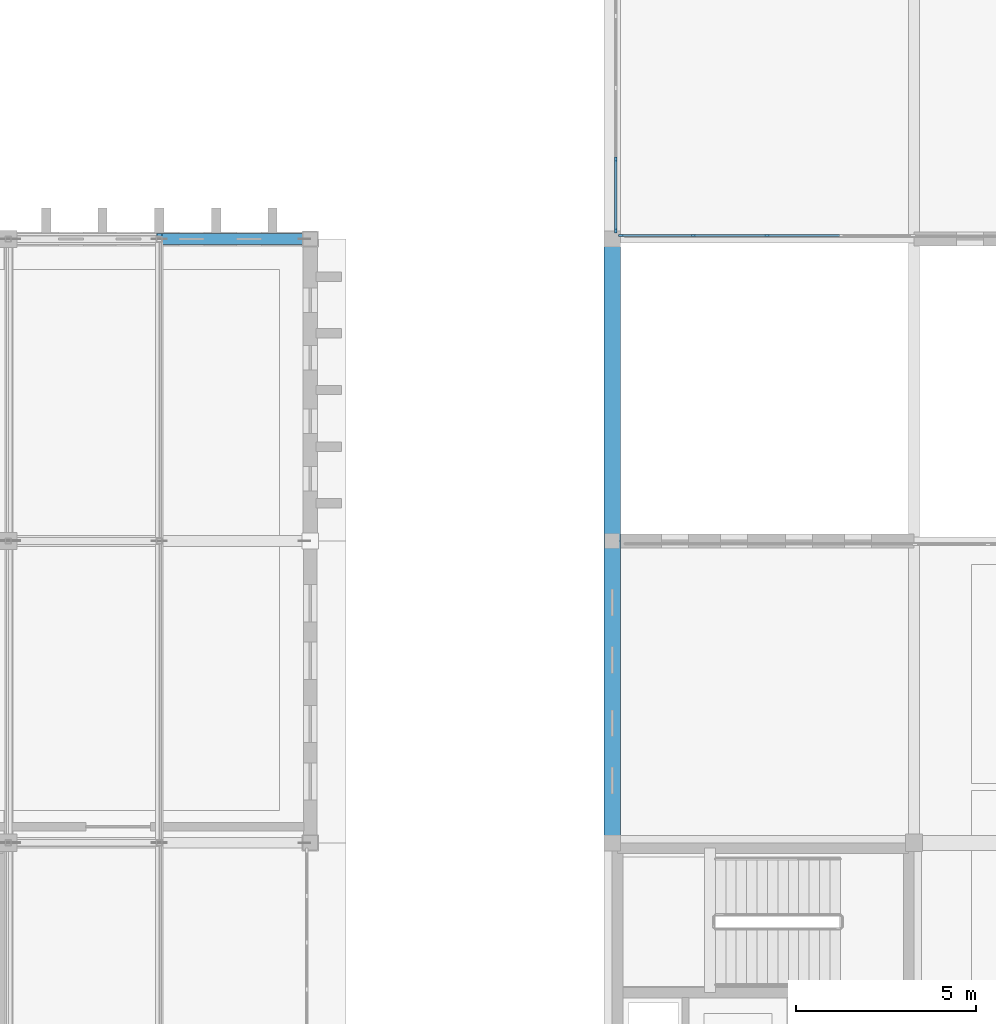
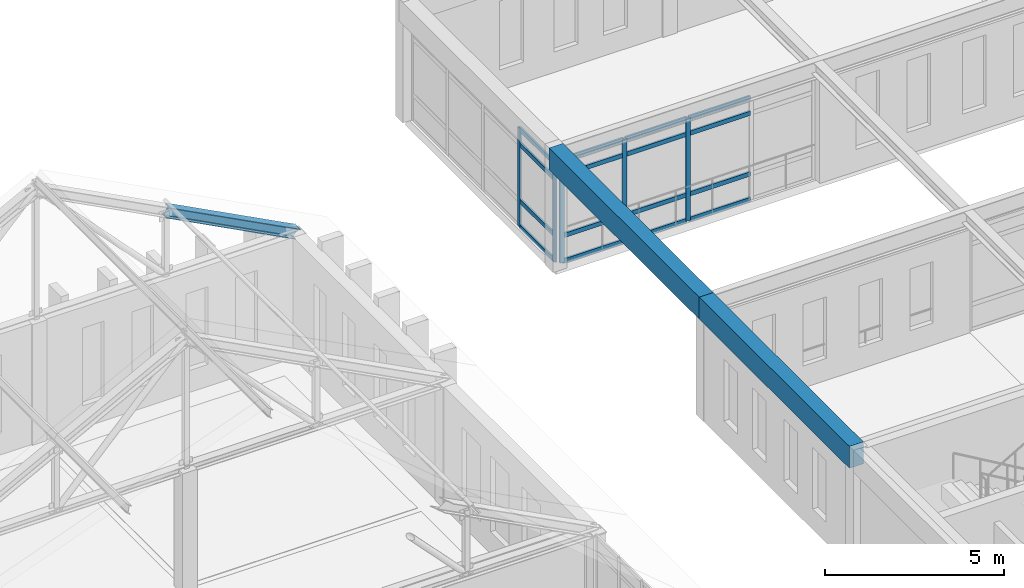
# One storey, part 85 of 192: 22 members, 2 beams, 2 elements without a shape of their own.
"""IFC4 building model written with IfcOpenShell, lengths in metres."""

from ifc_helpers import new_model, si_unit, direction, frame, origin, origin_2d, place, context, subcontext, project, spatial, rectangle, i_section, extrude, material, layer, layer_set, material_profile, profile_set, type_object, element, aggregate, save


model = new_model("IFC4")

# Units and contexts
model_context = context("Model", 3, precision=1e-05, world=origin(), true_north=direction((0.0, 1.0)))
body_context = subcontext(model_context, "Body", "Model", "MODEL_VIEW")
ifc_project = project(units=[si_unit("LENGTHUNIT", "METRE"), si_unit("AREAUNIT", "SQUARE_METRE"), si_unit("VOLUMEUNIT", "CUBIC_METRE"), si_unit("PLANEANGLEUNIT", "RADIAN"), si_unit("MASSUNIT", "GRAM", prefix="KILO")], contexts=[model_context])

# Site, building, storey
site_placement = place(None, origin())
site = spatial("IfcSite", under=ifc_project, at=site_placement, CompositionType="ELEMENT")
building_placement = place(site_placement, origin())
building = spatial("IfcBuilding", under=site, at=building_placement, Name="Kveldsbrygga Polytechnic", CompositionType="ELEMENT")
storey_placement = place(building_placement, frame((0.0, 0.0, 5.43994140625)))
storey = spatial("IfcBuildingStorey", under=building, at=storey_placement, Name="L01", CompositionType="ELEMENT", Elevation=5.43994140625)

# Beams
ifc_material_1 = material(Name="Concrete C35/45", Category="concrete")
ifc_material_profile_1 = material_profile(ifc_material_1, rectangle(XDim=0.449951171875, YDim=0.75, at=origin_2d()), Name="RC 450x750")
ifc_profile_set_1 = profile_set([ifc_material_profile_1], Name="Concrete C35/45")
beam_type = type_object("IfcBeamType", Name="BM-RC-450x750", PredefinedType="BEAM", material=ifc_profile_set_1)
beam_1_placement = place(storey_placement, frame((42.0, 92.39990234375, 3.7451171875), z_axis=(0.0, 1.0, 0.0), x_axis=(-1.0, 0.0, 0.0)))
element("IfcBeam", 1, at=beam_1_placement, inside=storey, type_object=beam_type, Name="Primary Beam BMY-L01-05-11to12", PredefinedType="BEAM", context=body_context, shape_type="SweptSolid", body=[
    extrude(rectangle(XDim=0.449951171875, YDim=0.75, at=origin_2d()), origin(), (0.0, 0.0, 1.0), 8.400146484375),
])
beam_2_placement = place(storey_placement, frame((42.0, 100.800048828125, 3.7451171875), z_axis=(0.0, 1.0, 0.0), x_axis=(-1.0, 0.0, 0.0)))
element("IfcBeam", 2, at=beam_2_placement, inside=storey, type_object=beam_type, Name="Primary Beam BMY-L01-05-12to13", PredefinedType="BEAM", context=body_context, shape_type="SweptSolid", body=[
    extrude(rectangle(XDim=0.449951171875, YDim=0.75, at=origin_2d()), origin(), (0.0, 0.0, 1.0), 8.39990234375),
])

# Curtain wall, members
ifc_material_2 = material(Name="Anodised aluminium AW-6060", Category="aluminium")
ifc_layer = layer(ifc_material_2, 0.199951171875)
ifc_layer_set = layer_set([ifc_layer], Name="Anodised aluminium AW-6060")
curtain_wall_type = type_object("IfcCurtainWallType", Name="CW-LANC-E", PredefinedType="USERDEFINED", material=ifc_layer_set)
curtain_wall_1_placement = place(storey_placement, origin())
curtain_wall_1 = element("IfcCurtainWall", 3, at=curtain_wall_1_placement, inside=storey, type_object=curtain_wall_type, Name="Curtain Wall CW-L01-X-05-13", ObjectType="UNITISED CURTAIN WALL", PredefinedType="USERDEFINED")
ifc_material_profile_2 = material_profile(ifc_material_2, rectangle(XDim=0.06005859375, YDim=0.139892578125, at=origin_2d()), Name="ALU 60x140")
ifc_profile_set_2 = profile_set([ifc_material_profile_2], Name="Anodised aluminium AW-6060")
member_type_1 = type_object("IfcMemberType", Name="CW-MUL-140", PredefinedType="MULLION", material=ifc_profile_set_2)
member_1_placement = place(storey_placement, frame((42.239990234375, 109.300048828125, 0.0), z_axis=(0.0, 0.0, 1.0), x_axis=(0.0, 1.0, 0.0)))
member_1 = element("IfcMember", 4, at=member_1_placement, type_object=member_type_1, Name="CW-05 mullion 1", PredefinedType="MULLION", context=body_context, shape_type="SweptSolid", body=[
    extrude(rectangle(XDim=0.06005859375, YDim=0.139892578125, at=origin_2d()), origin(), (0.0, 0.0, 1.0), 3.52001953125),
])
member_2_placement = place(storey_placement, frame((44.257568359375, 109.300048828125, 0.0), z_axis=(0.0, 0.0, 1.0), x_axis=(0.0, 1.0, 0.0)))
member_2 = element("IfcMember", 5, at=member_2_placement, type_object=member_type_1, Name="CW-05 mullion 2", PredefinedType="MULLION", context=body_context, shape_type="SweptSolid", body=[
    extrude(rectangle(XDim=0.06005859375, YDim=0.139892578125, at=origin_2d()), origin(), (0.0, 0.0, 1.0), 3.52001953125),
])
member_3_placement = place(storey_placement, frame((46.304931640625, 109.300048828125, 0.0), z_axis=(0.0, 0.0, 1.0), x_axis=(0.0, 1.0, 0.0)))
member_3 = element("IfcMember", 6, at=member_3_placement, type_object=member_type_1, Name="CW-05 mullion 3", PredefinedType="MULLION", context=body_context, shape_type="SweptSolid", body=[
    extrude(rectangle(XDim=0.06005859375, YDim=0.139892578125, at=origin_2d()), origin(), (0.0, 0.0, 1.0), 3.52001953125),
])

curtain_wall_2_placement = place(storey_placement, origin())
curtain_wall_2 = element("IfcCurtainWall", 7, at=curtain_wall_2_placement, inside=storey, type_object=curtain_wall_type, Name="Curtain Wall CW-L01-Y-05-13", ObjectType="UNITISED CURTAIN WALL", PredefinedType="USERDEFINED")
member_4_placement = place(storey_placement, frame((42.10009765625, 109.43994140625, 0.0), z_axis=(0.0, 0.0, 1.0), x_axis=(-1.0, 0.0, 0.0)))
member_4 = element("IfcMember", 8, at=member_4_placement, type_object=member_type_1, Name="CW-05 mullion 1", PredefinedType="MULLION", context=body_context, shape_type="SweptSolid", body=[
    extrude(rectangle(XDim=0.06005859375, YDim=0.139892578125, at=origin_2d()), origin(), (0.0, 0.0, 1.0), 3.3701171875),
])
member_5_placement = place(storey_placement, frame((42.10009765625, 111.40869140625, 0.0), z_axis=(0.0, 0.0, 1.0), x_axis=(-1.0, 0.0, 0.0)))
member_5 = element("IfcMember", 9, at=member_5_placement, type_object=member_type_1, Name="CW-05 mullion 2", PredefinedType="MULLION", context=body_context, shape_type="SweptSolid", body=[
    extrude(rectangle(XDim=0.06005859375, YDim=0.139892578125, at=origin_2d()), origin(), (0.0, 0.0, 1.0), 3.3701171875),
])

# Member
ifc_material_profile_3 = material_profile(ifc_material_2, rectangle(XDim=0.06005859375, YDim=0.14990234375, at=origin_2d()), Name="ALU 60x150")
ifc_profile_set_3 = profile_set([ifc_material_profile_3], Name="Anodised aluminium AW-6060")
member_type_2 = type_object("IfcMemberType", Name="CW-TRN-150", PredefinedType="USERDEFINED", material=ifc_profile_set_3)
member_6_placement = place(storey_placement, frame((42.27001953125, 109.300048828125, 0.030029296875), z_axis=(1.0, 0.0, 0.0), x_axis=(0.0, 1.0, 0.0)))
member_6 = element("IfcMember", 10, at=member_6_placement, type_object=member_type_2, Name="CW-05 transom 1.1", ObjectType="TRANSOM", PredefinedType="USERDEFINED", context=body_context, shape_type="SweptSolid", body=[
    extrude(rectangle(XDim=0.06005859375, YDim=0.14990234375, at=origin_2d()), origin(), (0.0, 0.0, 1.0), 1.95751953125),
])

member_7_placement = place(storey_placement, frame((42.27001953125, 109.300048828125, 0.900146484375), z_axis=(1.0, 0.0, 0.0), x_axis=(0.0, 1.0, 0.0)))
member_7 = element("IfcMember", 11, at=member_7_placement, type_object=member_type_2, Name="CW-05 transom 1.2", ObjectType="TRANSOM", PredefinedType="USERDEFINED", context=body_context, shape_type="SweptSolid", body=[
    extrude(rectangle(XDim=0.06005859375, YDim=0.14990234375, at=origin_2d()), origin(), (0.0, 0.0, 1.0), 1.95751953125),
])

member_8_placement = place(storey_placement, frame((42.27001953125, 109.300048828125, 2.969970703125), z_axis=(1.0, 0.0, 0.0), x_axis=(0.0, 1.0, 0.0)))
member_8 = element("IfcMember", 12, at=member_8_placement, type_object=member_type_2, Name="CW-05 transom 1.3", ObjectType="TRANSOM", PredefinedType="USERDEFINED", context=body_context, shape_type="SweptSolid", body=[
    extrude(rectangle(XDim=0.06005859375, YDim=0.14990234375, at=origin_2d()), origin(), (0.0, 0.0, 1.0), 1.95751953125),
])

member_9_placement = place(storey_placement, frame((42.27001953125, 109.300048828125, 3.489990234375), z_axis=(1.0, 0.0, 0.0), x_axis=(0.0, 1.0, 0.0)))
member_9 = element("IfcMember", 13, at=member_9_placement, type_object=member_type_2, Name="CW-05 transom 1.4", ObjectType="TRANSOM", PredefinedType="USERDEFINED", context=body_context, shape_type="SweptSolid", body=[
    extrude(rectangle(XDim=0.06005859375, YDim=0.14990234375, at=origin_2d()), origin(), (0.0, 0.0, 1.0), 1.95751953125),
])

member_10_placement = place(storey_placement, frame((44.28759765625, 109.300048828125, 0.030029296875), z_axis=(1.0, 0.0, 0.0), x_axis=(0.0, 1.0, 0.0)))
member_10 = element("IfcMember", 14, at=member_10_placement, type_object=member_type_2, Name="CW-05 transom 2.1", ObjectType="TRANSOM", PredefinedType="USERDEFINED", context=body_context, shape_type="SweptSolid", body=[
    extrude(rectangle(XDim=0.06005859375, YDim=0.14990234375, at=origin_2d()), origin(), (0.0, 0.0, 1.0), 1.9873046875),
])

member_11_placement = place(storey_placement, frame((44.28759765625, 109.300048828125, 0.900146484375), z_axis=(1.0, 0.0, 0.0), x_axis=(0.0, 1.0, 0.0)))
member_11 = element("IfcMember", 15, at=member_11_placement, type_object=member_type_2, Name="CW-05 transom 2.2", ObjectType="TRANSOM", PredefinedType="USERDEFINED", context=body_context, shape_type="SweptSolid", body=[
    extrude(rectangle(XDim=0.06005859375, YDim=0.14990234375, at=origin_2d()), origin(), (0.0, 0.0, 1.0), 1.9873046875),
])

member_12_placement = place(storey_placement, frame((44.28759765625, 109.300048828125, 2.969970703125), z_axis=(1.0, 0.0, 0.0), x_axis=(0.0, 1.0, 0.0)))
member_12 = element("IfcMember", 16, at=member_12_placement, type_object=member_type_2, Name="CW-05 transom 2.3", ObjectType="TRANSOM", PredefinedType="USERDEFINED", context=body_context, shape_type="SweptSolid", body=[
    extrude(rectangle(XDim=0.06005859375, YDim=0.14990234375, at=origin_2d()), origin(), (0.0, 0.0, 1.0), 1.9873046875),
])

member_13_placement = place(storey_placement, frame((44.28759765625, 109.300048828125, 3.489990234375), z_axis=(1.0, 0.0, 0.0), x_axis=(0.0, 1.0, 0.0)))
member_13 = element("IfcMember", 17, at=member_13_placement, type_object=member_type_2, Name="CW-05 transom 2.4", ObjectType="TRANSOM", PredefinedType="USERDEFINED", context=body_context, shape_type="SweptSolid", body=[
    extrude(rectangle(XDim=0.06005859375, YDim=0.14990234375, at=origin_2d()), origin(), (0.0, 0.0, 1.0), 1.9873046875),
])

member_14_placement = place(storey_placement, frame((46.3349609375, 109.300048828125, 0.030029296875), z_axis=(1.0, 0.0, 0.0), x_axis=(0.0, 1.0, 0.0)))
member_14 = element("IfcMember", 18, at=member_14_placement, type_object=member_type_2, Name="CW-05 transom 3.1", ObjectType="TRANSOM", PredefinedType="USERDEFINED", context=body_context, shape_type="SweptSolid", body=[
    extrude(rectangle(XDim=0.06005859375, YDim=0.14990234375, at=origin_2d()), origin(), (0.0, 0.0, 1.0), 1.987548828125),
])

member_15_placement = place(storey_placement, frame((46.3349609375, 109.300048828125, 0.900146484375), z_axis=(1.0, 0.0, 0.0), x_axis=(0.0, 1.0, 0.0)))
member_15 = element("IfcMember", 19, at=member_15_placement, type_object=member_type_2, Name="CW-05 transom 3.2", ObjectType="TRANSOM", PredefinedType="USERDEFINED", context=body_context, shape_type="SweptSolid", body=[
    extrude(rectangle(XDim=0.06005859375, YDim=0.14990234375, at=origin_2d()), origin(), (0.0, 0.0, 1.0), 1.987548828125),
])

member_16_placement = place(storey_placement, frame((46.3349609375, 109.300048828125, 2.969970703125), z_axis=(1.0, 0.0, 0.0), x_axis=(0.0, 1.0, 0.0)))
member_16 = element("IfcMember", 20, at=member_16_placement, type_object=member_type_2, Name="CW-05 transom 3.3", ObjectType="TRANSOM", PredefinedType="USERDEFINED", context=body_context, shape_type="SweptSolid", body=[
    extrude(rectangle(XDim=0.06005859375, YDim=0.14990234375, at=origin_2d()), origin(), (0.0, 0.0, 1.0), 1.987548828125),
])

member_17_placement = place(storey_placement, frame((46.3349609375, 109.300048828125, 3.489990234375), z_axis=(1.0, 0.0, 0.0), x_axis=(0.0, 1.0, 0.0)))
member_17 = element("IfcMember", 21, at=member_17_placement, type_object=member_type_2, Name="CW-05 transom 3.4", ObjectType="TRANSOM", PredefinedType="USERDEFINED", context=body_context, shape_type="SweptSolid", body=[
    extrude(rectangle(XDim=0.06005859375, YDim=0.14990234375, at=origin_2d()), origin(), (0.0, 0.0, 1.0), 1.987548828125),
])

aggregate(curtain_wall_1, [member_1, member_2, member_3, member_6, member_7, member_8, member_9, member_10, member_11, member_12, member_13, member_14, member_15, member_16, member_17])

member_18_placement = place(storey_placement, frame((42.10009765625, 109.469970703125, 0.030029296875), z_axis=(0.0, 1.0, 0.0), x_axis=(-1.0, 0.0, 0.0)))
member_18 = element("IfcMember", 22, at=member_18_placement, type_object=member_type_2, Name="CW-05 transom 1.1", ObjectType="TRANSOM", PredefinedType="USERDEFINED", context=body_context, shape_type="SweptSolid", body=[
    extrude(rectangle(XDim=0.06005859375, YDim=0.14990234375, at=origin_2d()), origin(), (0.0, 0.0, 1.0), 1.90869140625),
])

member_19_placement = place(storey_placement, frame((42.10009765625, 109.469970703125, 0.900146484375), z_axis=(0.0, 1.0, 0.0), x_axis=(-1.0, 0.0, 0.0)))
member_19 = element("IfcMember", 23, at=member_19_placement, type_object=member_type_2, Name="CW-05 transom 1.2", ObjectType="TRANSOM", PredefinedType="USERDEFINED", context=body_context, shape_type="SweptSolid", body=[
    extrude(rectangle(XDim=0.06005859375, YDim=0.14990234375, at=origin_2d()), origin(), (0.0, 0.0, 1.0), 1.90869140625),
])

member_20_placement = place(storey_placement, frame((42.10009765625, 109.469970703125, 2.820068359375), z_axis=(0.0, 1.0, 0.0), x_axis=(-1.0, 0.0, 0.0)))
member_20 = element("IfcMember", 24, at=member_20_placement, type_object=member_type_2, Name="CW-05 transom 1.3", ObjectType="TRANSOM", PredefinedType="USERDEFINED", context=body_context, shape_type="SweptSolid", body=[
    extrude(rectangle(XDim=0.06005859375, YDim=0.14990234375, at=origin_2d()), origin(), (0.0, 0.0, 1.0), 1.90869140625),
])

member_21_placement = place(storey_placement, frame((42.10009765625, 109.469970703125, 3.340087890625), z_axis=(0.0, 1.0, 0.0), x_axis=(-1.0, 0.0, 0.0)))
member_21 = element("IfcMember", 25, at=member_21_placement, type_object=member_type_2, Name="CW-05 transom 1.4", ObjectType="TRANSOM", PredefinedType="USERDEFINED", context=body_context, shape_type="SweptSolid", body=[
    extrude(rectangle(XDim=0.06005859375, YDim=0.14990234375, at=origin_2d()), origin(), (0.0, 0.0, 1.0), 1.90869140625),
])

aggregate(curtain_wall_2, [member_4, member_5, member_18, member_19, member_20, member_21])

ifc_material_3 = material(Name="Steel S355", Category="steel")
ifc_material_profile_4 = material_profile(ifc_material_3, i_section(OverallWidth=0.300048828125, OverallDepth=0.330078125, WebThickness=0.009521484375, FlangeThickness=0.0166015625, FilletRadius=0.027099609375, at=origin_2d()), Name="HEA 340")
ifc_profile_set_4 = profile_set([ifc_material_profile_4], Name="Steel S355")
member_type_3 = type_object("IfcMemberType", Name="TR-TOP-HEA340", PredefinedType="CHORD", material=ifc_profile_set_4)
member_22_placement = place(storey_placement, frame((29.39990234375, 109.199951171875, 6.320068359375), z_axis=(0.885844636633, 0.0, -0.463981982138), x_axis=(0.0, 1.0, 0.0)))
element("IfcMember", 26, at=member_22_placement, inside=storey, type_object=member_type_3, Name="Truss Top Chord V1N2-T04-TC-4", PredefinedType="CHORD", context=body_context, shape_type="SweptSolid", body=[
    extrude(i_section(OverallWidth=0.300048828125, OverallDepth=0.330078125, WebThickness=0.009521484375, FlangeThickness=0.0166015625, FilletRadius=0.027099609375, at=origin_2d()), origin(), (0.0, 0.0, 1.0), 4.741455078125),
])

save(model, "model.ifc")
